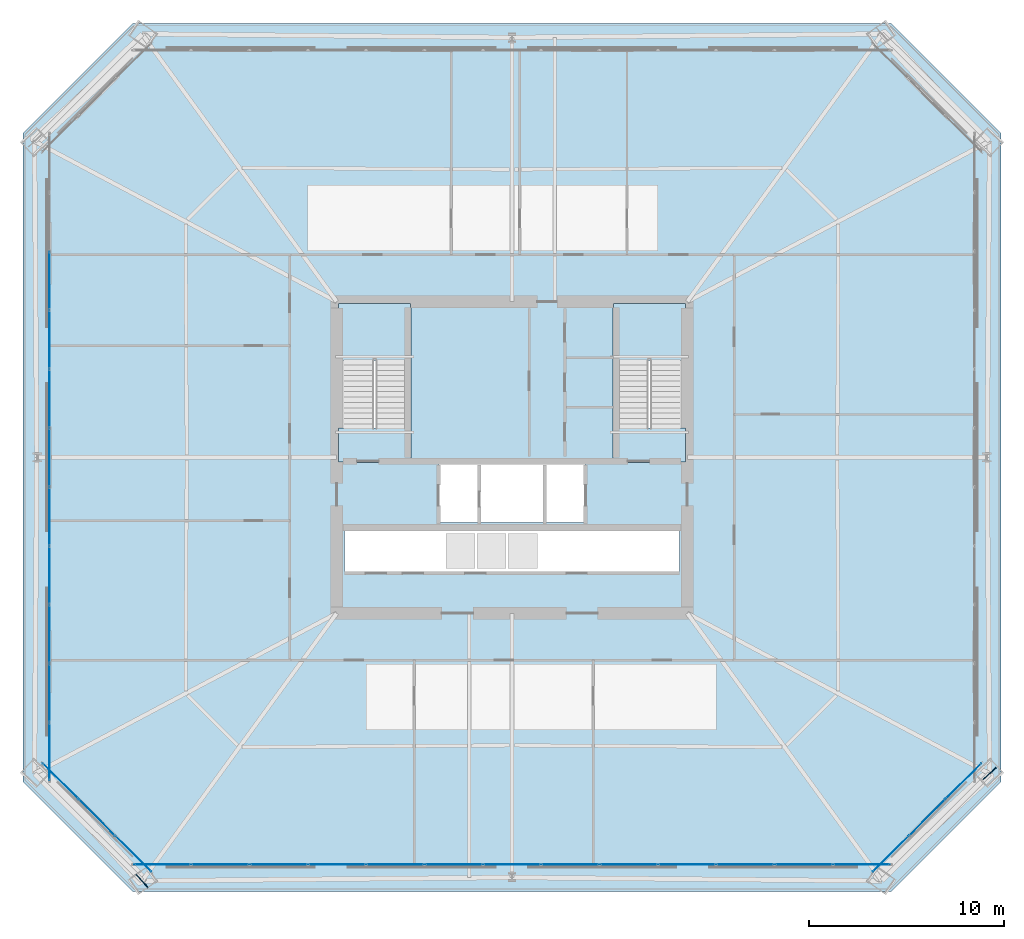
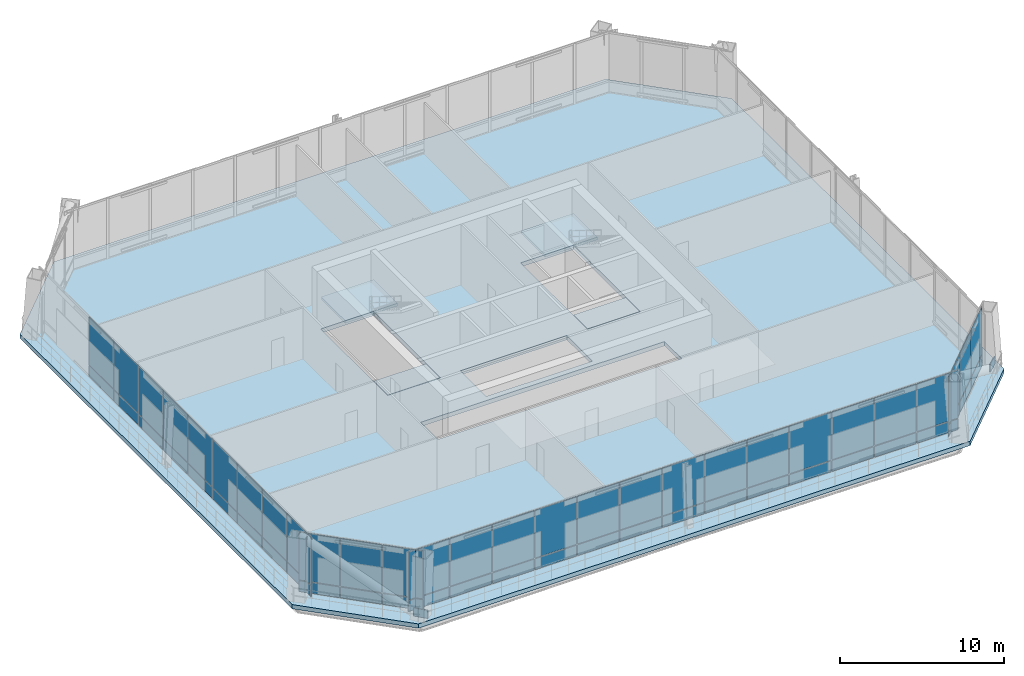
# One storey, part 40 of 48: 58 plates, 5 slabs, 6 elements without a shape of their own.
"""IFC4 building model written with IfcOpenShell, lengths in metres."""

from ifc_helpers import new_model, si_unit, direction, frame, origin, origin_2d, place, context, subcontext, project, spatial, polyline, rectangle, outline, extrude, material, layer, layer_set, type_object, element, aggregate, save


model = new_model("IFC4")

# Units and contexts
model_context = context("Model", 3, precision=1e-05, world=origin(), true_north=direction((0.0, 1.0)))
body_context = subcontext(model_context, "Body", "Model", "MODEL_VIEW")
ifc_project = project(units=[si_unit("LENGTHUNIT", "METRE"), si_unit("AREAUNIT", "SQUARE_METRE"), si_unit("VOLUMEUNIT", "CUBIC_METRE"), si_unit("PLANEANGLEUNIT", "RADIAN"), si_unit("MASSUNIT", "GRAM", prefix="KILO")], contexts=[model_context])

# Site, building, storey
site_placement = place(None, origin())
site = spatial("IfcSite", under=ifc_project, at=site_placement, CompositionType="ELEMENT")
building_placement = place(site_placement, origin())
building = spatial("IfcBuilding", under=site, at=building_placement, Name="Caelvoria Tower", CompositionType="ELEMENT")
storey_placement = place(building_placement, frame((0.0, 0.0, 90.39990234375)))
storey = spatial("IfcBuildingStorey", under=building, at=storey_placement, Name="L23", CompositionType="ELEMENT", Elevation=90.39990234375)

# Curtain wall, plates
ifc_material_1 = material(Name="Anodised Bronze Aluminium and Low-E Glass", Category="aluminium")
ifc_layer_1 = layer(ifc_material_1, 0.2099609375, Name="Anodised Bronze Aluminium and Low-E Glass")
ifc_layer_set_1 = layer_set([ifc_layer_1], Name="CW System 3 Sky Lobby Double-Height Acoustic Facade - Anodised Bronze Aluminium and Low-E Glass")
curtain_wall_type = type_object("IfcCurtainWallType", Name="CW System 3 Sky Lobby Double-Height Acoustic Facade", PredefinedType="NOTDEFINED", material=ifc_layer_set_1)
curtain_wall_1_placement = place(storey_placement, origin())
curtain_wall_1 = element("IfcCurtainWall", 1, at=curtain_wall_1_placement, inside=storey, type_object=curtain_wall_type, Name="CW-03 Curtain Wall L23-E0", PredefinedType="NOTDEFINED")
ifc_material_2 = material(Name="Tinted Low-E Insulated Glazing Unit", Category="glass")
ifc_layer_2 = layer(ifc_material_2, 0.028076171875, Name="Tinted Low-E Insulated Glazing Unit")
ifc_layer_set_2 = layer_set([ifc_layer_2], Name="Double-Glazed Solar-Control Vision Panel 28 - Tinted Low-E Insulated Glazing Unit")
plate_type_1 = type_object("IfcPlateType", Name="Double-Glazed Solar-Control Vision Panel 28", PredefinedType="CURTAIN_PANEL", material=ifc_layer_set_2)
plate_1_placement = place(storey_placement, frame((31.025634765625, 11.0966796875, 0.9326171875), z_axis=(0.0, 0.0, 1.0), x_axis=(1.0, 0.0, 0.0)))
plate_1 = element("IfcPlate", 2, at=plate_1_placement, type_object=plate_type_1, Name="CW-03 panel 2.2", PredefinedType="CURTAIN_PANEL", context=body_context, shape_type="SweptSolid", body=[
    extrude(rectangle(XDim=2.9248046875, YDim=0.028076171875, at=origin_2d()), origin(), (0.0, 0.0, 1.0), 3.5625),
])
plate_2_placement = place(storey_placement, frame((34.0205078125, 11.0966796875, 0.9326171875), z_axis=(0.0, 0.0, 1.0), x_axis=(1.0, 0.0, 0.0)))
plate_2 = element("IfcPlate", 3, at=plate_2_placement, type_object=plate_type_1, Name="CW-03 panel 3.2", PredefinedType="CURTAIN_PANEL", context=body_context, shape_type="SweptSolid", body=[
    extrude(rectangle(XDim=2.9248046875, YDim=0.028076171875, at=origin_2d()), origin(), (0.0, 0.0, 1.0), 3.5625),
])
plate_3_placement = place(storey_placement, frame((37.015380859375, 11.0966796875, 0.9326171875), z_axis=(0.0, 0.0, 1.0), x_axis=(1.0, 0.0, 0.0)))
plate_3 = element("IfcPlate", 4, at=plate_3_placement, type_object=plate_type_1, Name="CW-03 panel 4.2", PredefinedType="CURTAIN_PANEL", context=body_context, shape_type="SweptSolid", body=[
    extrude(rectangle(XDim=2.9248046875, YDim=0.028076171875, at=origin_2d()), origin(), (0.0, 0.0, 1.0), 3.5625),
])
plate_4_placement = place(storey_placement, frame((40.01025390625, 11.0966796875, 0.9326171875), z_axis=(0.0, 0.0, 1.0), x_axis=(1.0, 0.0, 0.0)))
plate_4 = element("IfcPlate", 5, at=plate_4_placement, type_object=plate_type_1, Name="CW-03 panel 5.2", PredefinedType="CURTAIN_PANEL", context=body_context, shape_type="SweptSolid", body=[
    extrude(rectangle(XDim=2.9248046875, YDim=0.028076171875, at=origin_2d()), origin(), (0.0, 0.0, 1.0), 3.5625),
])
plate_5_placement = place(storey_placement, frame((43.005126953125, 11.0966796875, 0.9326171875), z_axis=(0.0, 0.0, 1.0), x_axis=(1.0, 0.0, 0.0)))
plate_5 = element("IfcPlate", 6, at=plate_5_placement, type_object=plate_type_1, Name="CW-03 panel 6.2", PredefinedType="CURTAIN_PANEL", context=body_context, shape_type="SweptSolid", body=[
    extrude(rectangle(XDim=2.9248046875, YDim=0.028076171875, at=origin_2d()), origin(), (0.0, 0.0, 1.0), 3.5625),
])
plate_6_placement = place(storey_placement, frame((46.0, 11.0966796875, 0.9326171875), z_axis=(0.0, 0.0, 1.0), x_axis=(1.0, 0.0, 0.0)))
plate_6 = element("IfcPlate", 7, at=plate_6_placement, type_object=plate_type_1, Name="CW-03 panel 7.2", PredefinedType="CURTAIN_PANEL", context=body_context, shape_type="SweptSolid", body=[
    extrude(rectangle(XDim=2.9248046875, YDim=0.028076171875, at=origin_2d()), origin(), (0.0, 0.0, 1.0), 3.5625),
])
plate_7_placement = place(storey_placement, frame((48.994873046875, 11.0966796875, 0.9326171875), z_axis=(0.0, 0.0, 1.0), x_axis=(1.0, 0.0, 0.0)))
plate_7 = element("IfcPlate", 8, at=plate_7_placement, type_object=plate_type_1, Name="CW-03 panel 8.2", PredefinedType="CURTAIN_PANEL", context=body_context, shape_type="SweptSolid", body=[
    extrude(rectangle(XDim=2.9248046875, YDim=0.028076171875, at=origin_2d()), origin(), (0.0, 0.0, 1.0), 3.5625),
])
plate_8_placement = place(storey_placement, frame((51.98974609375, 11.0966796875, 0.9326171875), z_axis=(0.0, 0.0, 1.0), x_axis=(1.0, 0.0, 0.0)))
plate_8 = element("IfcPlate", 9, at=plate_8_placement, type_object=plate_type_1, Name="CW-03 panel 9.2", PredefinedType="CURTAIN_PANEL", context=body_context, shape_type="SweptSolid", body=[
    extrude(rectangle(XDim=2.9248046875, YDim=0.028076171875, at=origin_2d()), origin(), (0.0, 0.0, 1.0), 3.5625),
])
plate_9_placement = place(storey_placement, frame((54.984619140625, 11.0966796875, 0.9326171875), z_axis=(0.0, 0.0, 1.0), x_axis=(1.0, 0.0, 0.0)))
plate_9 = element("IfcPlate", 10, at=plate_9_placement, type_object=plate_type_1, Name="CW-03 panel 10.2", PredefinedType="CURTAIN_PANEL", context=body_context, shape_type="SweptSolid", body=[
    extrude(rectangle(XDim=2.9248046875, YDim=0.028076171875, at=origin_2d()), origin(), (0.0, 0.0, 1.0), 3.5625),
])
plate_10_placement = place(storey_placement, frame((57.9794921875, 11.0966796875, 0.9326171875), z_axis=(0.0, 0.0, 1.0), x_axis=(1.0, 0.0, 0.0)))
plate_10 = element("IfcPlate", 11, at=plate_10_placement, type_object=plate_type_1, Name="CW-03 panel 11.2", PredefinedType="CURTAIN_PANEL", context=body_context, shape_type="SweptSolid", body=[
    extrude(rectangle(XDim=2.9248046875, YDim=0.028076171875, at=origin_2d()), origin(), (0.0, 0.0, 1.0), 3.5625),
])
plate_11_placement = place(storey_placement, frame((60.974365234375, 11.0966796875, 0.9326171875), z_axis=(0.0, 0.0, 1.0), x_axis=(1.0, 0.0, 0.0)))
plate_11 = element("IfcPlate", 12, at=plate_11_placement, type_object=plate_type_1, Name="CW-03 panel 12.2", PredefinedType="CURTAIN_PANEL", context=body_context, shape_type="SweptSolid", body=[
    extrude(rectangle(XDim=2.9248046875, YDim=0.028076171875, at=origin_2d()), origin(), (0.0, 0.0, 1.0), 3.5625),
])

curtain_wall_2_placement = place(storey_placement, origin())
curtain_wall_2 = element("IfcCurtainWall", 13, at=curtain_wall_2_placement, inside=storey, type_object=curtain_wall_type, Name="CW-03 Curtain Wall L23-E6", PredefinedType="NOTDEFINED")
plate_12_placement = place(storey_placement, frame((22.26318359375, 41.07275390625, 0.9326171875), z_axis=(0.0, 0.0, 1.0), x_axis=(0.0, -1.0, 0.0)))
plate_12 = element("IfcPlate", 14, at=plate_12_placement, type_object=plate_type_1, Name="CW-03 panel 3.2", PredefinedType="CURTAIN_PANEL", context=body_context, shape_type="SweptSolid", body=[
    extrude(rectangle(XDim=2.954345703125, YDim=0.028076171875, at=origin_2d()), origin(), (0.0, 0.0, 1.0), 3.5625),
])
plate_13_placement = place(storey_placement, frame((22.26318359375, 38.048583984375, 0.9326171875), z_axis=(0.0, 0.0, 1.0), x_axis=(0.0, -1.0, 0.0)))
plate_13 = element("IfcPlate", 15, at=plate_13_placement, type_object=plate_type_1, Name="CW-03 panel 4.2", PredefinedType="CURTAIN_PANEL", context=body_context, shape_type="SweptSolid", body=[
    extrude(rectangle(XDim=2.954345703125, YDim=0.028076171875, at=origin_2d()), origin(), (0.0, 0.0, 1.0), 3.5625),
])
plate_14_placement = place(storey_placement, frame((22.26318359375, 35.024169921875, 0.9326171875), z_axis=(0.0, 0.0, 1.0), x_axis=(0.0, -1.0, 0.0)))
plate_14 = element("IfcPlate", 16, at=plate_14_placement, type_object=plate_type_1, Name="CW-03 panel 5.2", PredefinedType="CURTAIN_PANEL", context=body_context, shape_type="SweptSolid", body=[
    extrude(rectangle(XDim=2.954345703125, YDim=0.028076171875, at=origin_2d()), origin(), (0.0, 0.0, 1.0), 3.5625),
])
plate_15_placement = place(storey_placement, frame((22.26318359375, 32.0, 0.9326171875), z_axis=(0.0, 0.0, 1.0), x_axis=(0.0, -1.0, 0.0)))
plate_15 = element("IfcPlate", 17, at=plate_15_placement, type_object=plate_type_1, Name="CW-03 panel 6.2", PredefinedType="CURTAIN_PANEL", context=body_context, shape_type="SweptSolid", body=[
    extrude(rectangle(XDim=2.954345703125, YDim=0.028076171875, at=origin_2d()), origin(), (0.0, 0.0, 1.0), 3.5625),
])
plate_16_placement = place(storey_placement, frame((22.26318359375, 28.975830078125, 0.9326171875), z_axis=(0.0, 0.0, 1.0), x_axis=(0.0, -1.0, 0.0)))
plate_16 = element("IfcPlate", 18, at=plate_16_placement, type_object=plate_type_1, Name="CW-03 panel 7.2", PredefinedType="CURTAIN_PANEL", context=body_context, shape_type="SweptSolid", body=[
    extrude(rectangle(XDim=2.954345703125, YDim=0.028076171875, at=origin_2d()), origin(), (0.0, 0.0, 1.0), 3.5625),
])
plate_17_placement = place(storey_placement, frame((22.26318359375, 25.951416015625, 0.9326171875), z_axis=(0.0, 0.0, 1.0), x_axis=(0.0, -1.0, 0.0)))
plate_17 = element("IfcPlate", 19, at=plate_17_placement, type_object=plate_type_1, Name="CW-03 panel 8.2", PredefinedType="CURTAIN_PANEL", context=body_context, shape_type="SweptSolid", body=[
    extrude(rectangle(XDim=2.954345703125, YDim=0.028076171875, at=origin_2d()), origin(), (0.0, 0.0, 1.0), 3.5625),
])
plate_18_placement = place(storey_placement, frame((22.26318359375, 22.92724609375, 0.9326171875), z_axis=(0.0, 0.0, 1.0), x_axis=(0.0, -1.0, 0.0)))
plate_18 = element("IfcPlate", 20, at=plate_18_placement, type_object=plate_type_1, Name="CW-03 panel 9.2", PredefinedType="CURTAIN_PANEL", context=body_context, shape_type="SweptSolid", body=[
    extrude(rectangle(XDim=2.954345703125, YDim=0.028076171875, at=origin_2d()), origin(), (0.0, 0.0, 1.0), 3.5625),
])
plate_19_placement = place(storey_placement, frame((22.26318359375, 19.903076171875, 0.9326171875), z_axis=(0.0, 0.0, 1.0), x_axis=(0.0, -1.0, 0.0)))
plate_19 = element("IfcPlate", 21, at=plate_19_placement, type_object=plate_type_1, Name="CW-03 panel 10.2", PredefinedType="CURTAIN_PANEL", context=body_context, shape_type="SweptSolid", body=[
    extrude(rectangle(XDim=2.954345703125, YDim=0.028076171875, at=origin_2d()), origin(), (0.0, 0.0, 1.0), 3.5625),
])

# Plate
ifc_material_3 = material(Name="Anodised Bronze Insulated Aluminium Panel", Category="aluminium")
ifc_layer_3 = layer(ifc_material_3, 0.031982421875, Name="Anodised Bronze Insulated Aluminium Panel")
ifc_layer_set_3 = layer_set([ifc_layer_3], Name="Insulated Bronze Spandrel Curtain Panel 32 - Anodised Bronze Insulated Aluminium Panel")
plate_type_2 = type_object("IfcPlateType", Name="Insulated Bronze Spandrel Curtain Panel 32", PredefinedType="CURTAIN_PANEL", material=ifc_layer_set_3)
plate_20_placement = place(storey_placement, frame((28.04833984375, 11.0966796875, 0.06494140625), z_axis=(0.0, 0.0, 1.0), x_axis=(1.0, 0.0, 0.0)))
plate_20 = element("IfcPlate", 22, at=plate_20_placement, type_object=plate_type_2, Name="CW-03 panel 1.1", PredefinedType="CURTAIN_PANEL", context=body_context, shape_type="SweptSolid", body=[
    extrude(rectangle(XDim=2.889892578125, YDim=0.031982421875, at=origin_2d()), origin(), (0.0, 0.0, 1.0), 0.802490234375),
])

plate_21_placement = place(storey_placement, frame((28.04833984375, 11.0966796875, 0.9326171875), z_axis=(0.0, 0.0, 1.0), x_axis=(1.0, 0.0, 0.0)))
plate_21 = element("IfcPlate", 23, at=plate_21_placement, type_object=plate_type_2, Name="CW-03 panel 1.2", PredefinedType="CURTAIN_PANEL", context=body_context, shape_type="SweptSolid", body=[
    extrude(rectangle(XDim=2.889892578125, YDim=0.031982421875, at=origin_2d()), origin(), (0.0, 0.0, 1.0), 3.5625),
])

plate_22_placement = place(storey_placement, frame((31.025634765625, 11.0966796875, 0.06494140625), z_axis=(0.0, 0.0, 1.0), x_axis=(1.0, 0.0, 0.0)))
plate_22 = element("IfcPlate", 24, at=plate_22_placement, type_object=plate_type_2, Name="CW-03 panel 2.1", PredefinedType="CURTAIN_PANEL", context=body_context, shape_type="SweptSolid", body=[
    extrude(rectangle(XDim=2.9248046875, YDim=0.031982421875, at=origin_2d()), origin(), (0.0, 0.0, 1.0), 0.802490234375),
])

plate_23_placement = place(storey_placement, frame((34.0205078125, 11.0966796875, 0.06494140625), z_axis=(0.0, 0.0, 1.0), x_axis=(1.0, 0.0, 0.0)))
plate_23 = element("IfcPlate", 25, at=plate_23_placement, type_object=plate_type_2, Name="CW-03 panel 3.1", PredefinedType="CURTAIN_PANEL", context=body_context, shape_type="SweptSolid", body=[
    extrude(rectangle(XDim=2.9248046875, YDim=0.031982421875, at=origin_2d()), origin(), (0.0, 0.0, 1.0), 0.802490234375),
])

plate_24_placement = place(storey_placement, frame((37.015380859375, 11.0966796875, 0.06494140625), z_axis=(0.0, 0.0, 1.0), x_axis=(1.0, 0.0, 0.0)))
plate_24 = element("IfcPlate", 26, at=plate_24_placement, type_object=plate_type_2, Name="CW-03 panel 4.1", PredefinedType="CURTAIN_PANEL", context=body_context, shape_type="SweptSolid", body=[
    extrude(rectangle(XDim=2.9248046875, YDim=0.031982421875, at=origin_2d()), origin(), (0.0, 0.0, 1.0), 0.802490234375),
])

plate_25_placement = place(storey_placement, frame((40.01025390625, 11.0966796875, 0.06494140625), z_axis=(0.0, 0.0, 1.0), x_axis=(1.0, 0.0, 0.0)))
plate_25 = element("IfcPlate", 27, at=plate_25_placement, type_object=plate_type_2, Name="CW-03 panel 5.1", PredefinedType="CURTAIN_PANEL", context=body_context, shape_type="SweptSolid", body=[
    extrude(rectangle(XDim=2.9248046875, YDim=0.031982421875, at=origin_2d()), origin(), (0.0, 0.0, 1.0), 0.802490234375),
])

plate_26_placement = place(storey_placement, frame((43.005126953125, 11.0966796875, 0.06494140625), z_axis=(0.0, 0.0, 1.0), x_axis=(1.0, 0.0, 0.0)))
plate_26 = element("IfcPlate", 28, at=plate_26_placement, type_object=plate_type_2, Name="CW-03 panel 6.1", PredefinedType="CURTAIN_PANEL", context=body_context, shape_type="SweptSolid", body=[
    extrude(rectangle(XDim=2.9248046875, YDim=0.031982421875, at=origin_2d()), origin(), (0.0, 0.0, 1.0), 0.802490234375),
])

plate_27_placement = place(storey_placement, frame((46.0, 11.0966796875, 0.06494140625), z_axis=(0.0, 0.0, 1.0), x_axis=(1.0, 0.0, 0.0)))
plate_27 = element("IfcPlate", 29, at=plate_27_placement, type_object=plate_type_2, Name="CW-03 panel 7.1", PredefinedType="CURTAIN_PANEL", context=body_context, shape_type="SweptSolid", body=[
    extrude(rectangle(XDim=2.9248046875, YDim=0.031982421875, at=origin_2d()), origin(), (0.0, 0.0, 1.0), 0.802490234375),
])

plate_28_placement = place(storey_placement, frame((48.994873046875, 11.0966796875, 0.06494140625), z_axis=(0.0, 0.0, 1.0), x_axis=(1.0, 0.0, 0.0)))
plate_28 = element("IfcPlate", 30, at=plate_28_placement, type_object=plate_type_2, Name="CW-03 panel 8.1", PredefinedType="CURTAIN_PANEL", context=body_context, shape_type="SweptSolid", body=[
    extrude(rectangle(XDim=2.9248046875, YDim=0.031982421875, at=origin_2d()), origin(), (0.0, 0.0, 1.0), 0.802490234375),
])

plate_29_placement = place(storey_placement, frame((51.98974609375, 11.0966796875, 0.06494140625), z_axis=(0.0, 0.0, 1.0), x_axis=(1.0, 0.0, 0.0)))
plate_29 = element("IfcPlate", 31, at=plate_29_placement, type_object=plate_type_2, Name="CW-03 panel 9.1", PredefinedType="CURTAIN_PANEL", context=body_context, shape_type="SweptSolid", body=[
    extrude(rectangle(XDim=2.9248046875, YDim=0.031982421875, at=origin_2d()), origin(), (0.0, 0.0, 1.0), 0.802490234375),
])

plate_30_placement = place(storey_placement, frame((54.984619140625, 11.0966796875, 0.06494140625), z_axis=(0.0, 0.0, 1.0), x_axis=(1.0, 0.0, 0.0)))
plate_30 = element("IfcPlate", 32, at=plate_30_placement, type_object=plate_type_2, Name="CW-03 panel 10.1", PredefinedType="CURTAIN_PANEL", context=body_context, shape_type="SweptSolid", body=[
    extrude(rectangle(XDim=2.9248046875, YDim=0.031982421875, at=origin_2d()), origin(), (0.0, 0.0, 1.0), 0.802490234375),
])

plate_31_placement = place(storey_placement, frame((57.9794921875, 11.0966796875, 0.06494140625), z_axis=(0.0, 0.0, 1.0), x_axis=(1.0, 0.0, 0.0)))
plate_31 = element("IfcPlate", 33, at=plate_31_placement, type_object=plate_type_2, Name="CW-03 panel 11.1", PredefinedType="CURTAIN_PANEL", context=body_context, shape_type="SweptSolid", body=[
    extrude(rectangle(XDim=2.9248046875, YDim=0.031982421875, at=origin_2d()), origin(), (0.0, 0.0, 1.0), 0.802490234375),
])

plate_32_placement = place(storey_placement, frame((60.974365234375, 11.0966796875, 0.06494140625), z_axis=(0.0, 0.0, 1.0), x_axis=(1.0, 0.0, 0.0)))
plate_32 = element("IfcPlate", 34, at=plate_32_placement, type_object=plate_type_2, Name="CW-03 panel 12.1", PredefinedType="CURTAIN_PANEL", context=body_context, shape_type="SweptSolid", body=[
    extrude(rectangle(XDim=2.9248046875, YDim=0.031982421875, at=origin_2d()), origin(), (0.0, 0.0, 1.0), 0.802490234375),
])

plate_33_placement = place(storey_placement, frame((63.95166015625, 11.0966796875, 0.06494140625), z_axis=(0.0, 0.0, 1.0), x_axis=(1.0, 0.0, 0.0)))
plate_33 = element("IfcPlate", 35, at=plate_33_placement, type_object=plate_type_2, Name="CW-03 panel 13.1", PredefinedType="CURTAIN_PANEL", context=body_context, shape_type="SweptSolid", body=[
    extrude(rectangle(XDim=2.889892578125, YDim=0.031982421875, at=origin_2d()), origin(), (0.0, 0.0, 1.0), 0.802490234375),
])

plate_34_placement = place(storey_placement, frame((63.95166015625, 11.0966796875, 0.9326171875), z_axis=(0.0, 0.0, 1.0), x_axis=(1.0, 0.0, 0.0)))
plate_34 = element("IfcPlate", 36, at=plate_34_placement, type_object=plate_type_2, Name="CW-03 panel 13.2", PredefinedType="CURTAIN_PANEL", context=body_context, shape_type="SweptSolid", body=[
    extrude(rectangle(XDim=2.889892578125, YDim=0.031982421875, at=origin_2d()), origin(), (0.0, 0.0, 1.0), 3.5625),
])

aggregate(curtain_wall_1, [plate_20, plate_21, plate_22, plate_1, plate_23, plate_2, plate_24, plate_3, plate_25, plate_4, plate_26, plate_5, plate_27, plate_6, plate_28, plate_7, plate_29, plate_8, plate_30, plate_9, plate_31, plate_10, plate_32, plate_11, plate_33, plate_34])

# Curtain wall, plates
curtain_wall_3_placement = place(storey_placement, origin())
curtain_wall_3 = element("IfcCurtainWall", 37, at=curtain_wall_3_placement, inside=storey, type_object=curtain_wall_type, Name="CW-03 Curtain Wall L23-E1", PredefinedType="NOTDEFINED")
plate_35_placement = place(storey_placement, frame((65.44482421875, 11.646484375, 0.06494140625), z_axis=(0.0, 0.0, 1.0), x_axis=(0.707106781187, 0.707106781187, 0.0)))
plate_35 = element("IfcPlate", 38, at=plate_35_placement, type_object=plate_type_2, Name="CW-03 panel 1.1", PredefinedType="CURTAIN_PANEL", context=body_context, shape_type="SweptSolid", body=[
    extrude(rectangle(XDim=2.558349609375, YDim=0.031982421875, at=origin_2d()), origin(), (0.0, 0.0, 1.0), 0.802490234375),
])
plate_36_placement = place(storey_placement, frame((65.44482421875, 11.646484375, 0.9326171875), z_axis=(0.0, 0.0, 1.0), x_axis=(0.707106781187, 0.707106781187, 0.0)))
plate_36 = element("IfcPlate", 39, at=plate_36_placement, type_object=plate_type_2, Name="CW-03 panel 1.2", PredefinedType="CURTAIN_PANEL", context=body_context, shape_type="SweptSolid", body=[
    extrude(rectangle(XDim=2.558349609375, YDim=0.031982421875, at=origin_2d()), origin(), (0.0, 0.0, 1.0), 3.5625),
])
plate_37_placement = place(storey_placement, frame((67.31591796875, 13.517578125, 0.06494140625), z_axis=(0.0, 0.0, 1.0), x_axis=(0.707106781187, 0.707106781187, 0.0)))
plate_37 = element("IfcPlate", 40, at=plate_37_placement, type_object=plate_type_2, Name="CW-03 panel 2.1", PredefinedType="CURTAIN_PANEL", context=body_context, shape_type="SweptSolid", body=[
    extrude(rectangle(XDim=2.593505859375, YDim=0.031982421875, at=origin_2d()), origin(), (0.0, 0.0, 1.0), 0.802490234375),
])
plate_38_placement = place(storey_placement, frame((67.31591796875, 13.517578125, 0.9326171875), z_axis=(0.0, 0.0, 1.0), x_axis=(0.707106781187, 0.707106781187, 0.0)))
plate_38 = element("IfcPlate", 41, at=plate_38_placement, type_object=plate_type_2, Name="CW-03 panel 2.2", PredefinedType="CURTAIN_PANEL", context=body_context, shape_type="SweptSolid", body=[
    extrude(rectangle(XDim=2.593505859375, YDim=0.031982421875, at=origin_2d()), origin(), (0.0, 0.0, 1.0), 3.5625),
])
plate_39_placement = place(storey_placement, frame((69.186767578125, 15.388427734375, 0.06494140625), z_axis=(0.0, 0.0, 1.0), x_axis=(0.707106781187, 0.707106781187, 0.0)))
plate_39 = element("IfcPlate", 42, at=plate_39_placement, type_object=plate_type_2, Name="CW-03 panel 3.1", PredefinedType="CURTAIN_PANEL", context=body_context, shape_type="SweptSolid", body=[
    extrude(rectangle(XDim=2.558349609375, YDim=0.031982421875, at=origin_2d()), origin(), (0.0, 0.0, 1.0), 0.802490234375),
])
plate_40_placement = place(storey_placement, frame((69.186767578125, 15.388427734375, 0.9326171875), z_axis=(0.0, 0.0, 1.0), x_axis=(0.707106781187, 0.707106781187, 0.0)))
plate_40 = element("IfcPlate", 43, at=plate_40_placement, type_object=plate_type_2, Name="CW-03 panel 3.2", PredefinedType="CURTAIN_PANEL", context=body_context, shape_type="SweptSolid", body=[
    extrude(rectangle(XDim=2.558349609375, YDim=0.031982421875, at=origin_2d()), origin(), (0.0, 0.0, 1.0), 3.5625),
])
aggregate(curtain_wall_3, [plate_35, plate_36, plate_37, plate_38, plate_39, plate_40])

# Plate
plate_41_placement = place(storey_placement, frame((22.26318359375, 41.07275390625, 0.06494140625), z_axis=(0.0, 0.0, 1.0), x_axis=(0.0, -1.0, 0.0)))
plate_41 = element("IfcPlate", 44, at=plate_41_placement, type_object=plate_type_2, Name="CW-03 panel 3.1", PredefinedType="CURTAIN_PANEL", context=body_context, shape_type="SweptSolid", body=[
    extrude(rectangle(XDim=2.954345703125, YDim=0.031982421875, at=origin_2d()), origin(), (0.0, 0.0, 1.0), 0.802490234375),
])

plate_42_placement = place(storey_placement, frame((22.26318359375, 38.048583984375, 0.06494140625), z_axis=(0.0, 0.0, 1.0), x_axis=(0.0, -1.0, 0.0)))
plate_42 = element("IfcPlate", 45, at=plate_42_placement, type_object=plate_type_2, Name="CW-03 panel 4.1", PredefinedType="CURTAIN_PANEL", context=body_context, shape_type="SweptSolid", body=[
    extrude(rectangle(XDim=2.954345703125, YDim=0.031982421875, at=origin_2d()), origin(), (0.0, 0.0, 1.0), 0.802490234375),
])

plate_43_placement = place(storey_placement, frame((22.26318359375, 35.024169921875, 0.06494140625), z_axis=(0.0, 0.0, 1.0), x_axis=(0.0, -1.0, 0.0)))
plate_43 = element("IfcPlate", 46, at=plate_43_placement, type_object=plate_type_2, Name="CW-03 panel 5.1", PredefinedType="CURTAIN_PANEL", context=body_context, shape_type="SweptSolid", body=[
    extrude(rectangle(XDim=2.954345703125, YDim=0.031982421875, at=origin_2d()), origin(), (0.0, 0.0, 1.0), 0.802490234375),
])

plate_44_placement = place(storey_placement, frame((22.26318359375, 32.0, 0.06494140625), z_axis=(0.0, 0.0, 1.0), x_axis=(0.0, -1.0, 0.0)))
plate_44 = element("IfcPlate", 47, at=plate_44_placement, type_object=plate_type_2, Name="CW-03 panel 6.1", PredefinedType="CURTAIN_PANEL", context=body_context, shape_type="SweptSolid", body=[
    extrude(rectangle(XDim=2.954345703125, YDim=0.031982421875, at=origin_2d()), origin(), (0.0, 0.0, 1.0), 0.802490234375),
])

plate_45_placement = place(storey_placement, frame((22.26318359375, 28.975830078125, 0.06494140625), z_axis=(0.0, 0.0, 1.0), x_axis=(0.0, -1.0, 0.0)))
plate_45 = element("IfcPlate", 48, at=plate_45_placement, type_object=plate_type_2, Name="CW-03 panel 7.1", PredefinedType="CURTAIN_PANEL", context=body_context, shape_type="SweptSolid", body=[
    extrude(rectangle(XDim=2.954345703125, YDim=0.031982421875, at=origin_2d()), origin(), (0.0, 0.0, 1.0), 0.802490234375),
])

plate_46_placement = place(storey_placement, frame((22.26318359375, 25.951416015625, 0.06494140625), z_axis=(0.0, 0.0, 1.0), x_axis=(0.0, -1.0, 0.0)))
plate_46 = element("IfcPlate", 49, at=plate_46_placement, type_object=plate_type_2, Name="CW-03 panel 8.1", PredefinedType="CURTAIN_PANEL", context=body_context, shape_type="SweptSolid", body=[
    extrude(rectangle(XDim=2.954345703125, YDim=0.031982421875, at=origin_2d()), origin(), (0.0, 0.0, 1.0), 0.802490234375),
])

plate_47_placement = place(storey_placement, frame((22.26318359375, 22.92724609375, 0.06494140625), z_axis=(0.0, 0.0, 1.0), x_axis=(0.0, -1.0, 0.0)))
plate_47 = element("IfcPlate", 50, at=plate_47_placement, type_object=plate_type_2, Name="CW-03 panel 9.1", PredefinedType="CURTAIN_PANEL", context=body_context, shape_type="SweptSolid", body=[
    extrude(rectangle(XDim=2.954345703125, YDim=0.031982421875, at=origin_2d()), origin(), (0.0, 0.0, 1.0), 0.802490234375),
])

plate_48_placement = place(storey_placement, frame((22.26318359375, 19.903076171875, 0.06494140625), z_axis=(0.0, 0.0, 1.0), x_axis=(0.0, -1.0, 0.0)))
plate_48 = element("IfcPlate", 51, at=plate_48_placement, type_object=plate_type_2, Name="CW-03 panel 10.1", PredefinedType="CURTAIN_PANEL", context=body_context, shape_type="SweptSolid", body=[
    extrude(rectangle(XDim=2.954345703125, YDim=0.031982421875, at=origin_2d()), origin(), (0.0, 0.0, 1.0), 0.802490234375),
])

plate_49_placement = place(storey_placement, frame((22.26318359375, 16.896240234375, 0.06494140625), z_axis=(0.0, 0.0, 1.0), x_axis=(0.0, -1.0, 0.0)))
plate_49 = element("IfcPlate", 52, at=plate_49_placement, type_object=plate_type_2, Name="CW-03 panel 11.1", PredefinedType="CURTAIN_PANEL", context=body_context, shape_type="SweptSolid", body=[
    extrude(rectangle(XDim=2.919189453125, YDim=0.031982421875, at=origin_2d()), origin(), (0.0, 0.0, 1.0), 0.802490234375),
])

plate_50_placement = place(storey_placement, frame((22.26318359375, 16.896240234375, 0.9326171875), z_axis=(0.0, 0.0, 1.0), x_axis=(0.0, -1.0, 0.0)))
plate_50 = element("IfcPlate", 53, at=plate_50_placement, type_object=plate_type_2, Name="CW-03 panel 11.2", PredefinedType="CURTAIN_PANEL", context=body_context, shape_type="SweptSolid", body=[
    extrude(rectangle(XDim=2.919189453125, YDim=0.031982421875, at=origin_2d()), origin(), (0.0, 0.0, 1.0), 3.5625),
])

aggregate(curtain_wall_2, [plate_41, plate_12, plate_42, plate_13, plate_43, plate_14, plate_44, plate_15, plate_45, plate_16, plate_46, plate_17, plate_47, plate_18, plate_48, plate_19, plate_49, plate_50])

# Curtain wall, plates
curtain_wall_4_placement = place(storey_placement, origin())
curtain_wall_4 = element("IfcCurtainWall", 54, at=curtain_wall_4_placement, inside=storey, type_object=curtain_wall_type, Name="CW-03 Curtain Wall L23-E7", PredefinedType="NOTDEFINED")
plate_51_placement = place(storey_placement, frame((22.813232421875, 15.388427734375, 0.06494140625), z_axis=(0.0, 0.0, 1.0), x_axis=(0.707106781187, -0.707106781187, 0.0)))
plate_51 = element("IfcPlate", 55, at=plate_51_placement, type_object=plate_type_2, Name="CW-03 panel 1.1", PredefinedType="CURTAIN_PANEL", context=body_context, shape_type="SweptSolid", body=[
    extrude(rectangle(XDim=2.558349609375, YDim=0.031982421875, at=origin_2d()), origin(), (0.0, 0.0, 1.0), 0.802490234375),
])
plate_52_placement = place(storey_placement, frame((22.813232421875, 15.388427734375, 0.9326171875), z_axis=(0.0, 0.0, 1.0), x_axis=(0.707106781187, -0.707106781187, 0.0)))
plate_52 = element("IfcPlate", 56, at=plate_52_placement, type_object=plate_type_2, Name="CW-03 panel 1.2", PredefinedType="CURTAIN_PANEL", context=body_context, shape_type="SweptSolid", body=[
    extrude(rectangle(XDim=2.558349609375, YDim=0.031982421875, at=origin_2d()), origin(), (0.0, 0.0, 1.0), 3.5625),
])
plate_53_placement = place(storey_placement, frame((24.68408203125, 13.517578125, 0.06494140625), z_axis=(0.0, 0.0, 1.0), x_axis=(0.707106781187, -0.707106781187, 0.0)))
plate_53 = element("IfcPlate", 57, at=plate_53_placement, type_object=plate_type_2, Name="CW-03 panel 2.1", PredefinedType="CURTAIN_PANEL", context=body_context, shape_type="SweptSolid", body=[
    extrude(rectangle(XDim=2.593505859375, YDim=0.031982421875, at=origin_2d()), origin(), (0.0, 0.0, 1.0), 0.802490234375),
])
plate_54_placement = place(storey_placement, frame((24.68408203125, 13.517578125, 0.9326171875), z_axis=(0.0, 0.0, 1.0), x_axis=(0.707106781187, -0.707106781187, 0.0)))
plate_54 = element("IfcPlate", 58, at=plate_54_placement, type_object=plate_type_2, Name="CW-03 panel 2.2", PredefinedType="CURTAIN_PANEL", context=body_context, shape_type="SweptSolid", body=[
    extrude(rectangle(XDim=2.593505859375, YDim=0.031982421875, at=origin_2d()), origin(), (0.0, 0.0, 1.0), 3.5625),
])
plate_55_placement = place(storey_placement, frame((26.55517578125, 11.646484375, 0.06494140625), z_axis=(0.0, 0.0, 1.0), x_axis=(0.707106781187, -0.707106781187, 0.0)))
plate_55 = element("IfcPlate", 59, at=plate_55_placement, type_object=plate_type_2, Name="CW-03 panel 3.1", PredefinedType="CURTAIN_PANEL", context=body_context, shape_type="SweptSolid", body=[
    extrude(rectangle(XDim=2.558349609375, YDim=0.031982421875, at=origin_2d()), origin(), (0.0, 0.0, 1.0), 0.802490234375),
])
plate_56_placement = place(storey_placement, frame((26.55517578125, 11.646484375, 0.9326171875), z_axis=(0.0, 0.0, 1.0), x_axis=(0.707106781187, -0.707106781187, 0.0)))
plate_56 = element("IfcPlate", 60, at=plate_56_placement, type_object=plate_type_2, Name="CW-03 panel 3.2", PredefinedType="CURTAIN_PANEL", context=body_context, shape_type="SweptSolid", body=[
    extrude(rectangle(XDim=2.558349609375, YDim=0.031982421875, at=origin_2d()), origin(), (0.0, 0.0, 1.0), 3.5625),
])
aggregate(curtain_wall_4, [plate_51, plate_52, plate_53, plate_54, plate_55, plate_56])

# Plates
ifc_material_4 = material(Name="Structural Steel ASTM A572 Gr.50", Category="steel")
ifc_layer_4 = layer(ifc_material_4, 0.0400390625, Name="Structural Steel ASTM A572 Gr.50")
ifc_layer_set_4 = layer_set([ifc_layer_4], Name="Megaframe Node Gusset Plate 900x600x40 - Structural Steel ASTM A572 Gr.50")
plate_type_3 = type_object("IfcPlateType", Name="Megaframe Node Gusset Plate 900x600x40", PredefinedType="USERDEFINED", material=ifc_layer_set_4)
for number, where, z_axis, x_axis, name in (
    (61, (70.516357421875, 15.76416015625, 0.02001953125), (0.0, 0.0, 1.0), (-0.736236473337, -0.676724356979, 0.0), "Chamfer Mega Brace Gusset L23 SE"),
    (62, (27.007080078125, 10.2587890625, 0.02001953125), (0.0, 0.0, 1.0), (-0.678964777816, 0.73417084557, 0.0), "Chamfer Mega Brace Gusset L23 SW"),
):
    element("IfcPlate", number, at=place(storey_placement, frame(where, z_axis=z_axis, x_axis=x_axis)), inside=storey, type_object=plate_type_3, Name=name, ObjectType="GUSSET_PLATE", PredefinedType="USERDEFINED", context=body_context, shape_type="SweptSolid", body=[
        extrude(rectangle(XDim=0.89990234375, YDim=0.0400390625, at=origin_2d()), origin(), (0.0, 0.0, 1.0), 0.60009765625),
    ])

# Slab
ifc_material_5 = material(Name="Concrete C50/60", Category="concrete")
ifc_layer_5 = layer(ifc_material_5, 0.320068359375, Name="Concrete C50/60")
ifc_layer_set_5 = layer_set([ifc_layer_5], Name="Plant and Sky Lobby Heavy Slab 320 - Concrete C50/60")
slab_type_1 = type_object("IfcSlabType", Name="Plant and Sky Lobby Heavy Slab 320", PredefinedType="FLOOR", material=ifc_layer_set_5)
slab_1_placement = place(storey_placement, frame((0.0, 0.0, -0.31982421875)))
element("IfcSlab", 63, at=slab_1_placement, inside=storey, type_object=slab_type_1, Name="Level L23 Structural Floor Slab", PredefinedType="FLOOR", context=body_context, shape_type="SweptSolid", body=[
    extrude(outline(polyline([(26.533203125, 9.716796875), (65.466796875, 9.716796875), (71.11669921875, 15.36669921875), (71.11669921875, 48.63330078125), (65.466796875, 54.283203125), (26.533203125, 54.283203125), (20.88330078125, 48.63330078125), (20.88330078125, 15.36669921875), (26.533203125, 9.716796875)]), holes=[polyline([(37.080078125, 31.75), (40.820068359375, 31.75), (40.820068359375, 39.919921875), (37.080078125, 39.919921875), (37.080078125, 31.75)]), polyline([(51.179931640625, 31.75), (54.919921875, 31.75), (54.919921875, 39.919921875), (51.179931640625, 39.919921875), (51.179931640625, 31.75)]), polyline([(42.25, 28.64990234375), (49.75, 28.64990234375), (49.75, 31.800048828125), (42.25, 31.800048828125), (42.25, 28.64990234375)]), polyline([(37.39990234375, 26.14990234375), (54.60009765625, 26.14990234375), (54.60009765625, 28.25), (37.39990234375, 28.25), (37.39990234375, 26.14990234375)])]), origin(), (0.0, 0.0, 1.0), 0.31982421875),
])

# Stair, slabs
ifc_material_6 = material(Name="Concrete C40/50", Category="concrete")
stair_type = type_object("IfcStairType", Name="Core Smokeproof Dogleg Stair Concrete C40/50", PredefinedType="HALF_TURN_STAIR", material=ifc_material_6)
stair_1_placement = place(storey_placement, origin())
stair_1 = element("IfcStair", 64, at=stair_1_placement, inside=storey, type_object=stair_type, Name="ST-01 Smokeproof Exit Stair L23", PredefinedType="HALF_TURN_STAIR")
ifc_layer_6 = layer(ifc_material_6, 0.199951171875, Name="Concrete C40/50")
ifc_layer_set_6 = layer_set([ifc_layer_6], Name="Stair Half and Floor Landing Slab 200 Concrete C40/50 - Concrete C40/50")
slab_type_2 = type_object("IfcSlabType", Name="Stair Half and Floor Landing Slab 200 Concrete C40/50", PredefinedType="LANDING", material=ifc_layer_set_6)
slab_2_placement = place(storey_placement, frame((0.0, 0.0, -0.199951171875)))
slab_2 = element("IfcSlab", 65, at=slab_2_placement, type_object=slab_type_2, Name="ST-01 landing 1", PredefinedType="LANDING", context=body_context, shape_type="SweptSolid", body=[
    extrude(outline(polyline([(37.10009765625, 31.77001953125), (40.800048828125, 31.77001953125), (40.800048828125, 33.5), (37.10009765625, 33.5), (37.10009765625, 31.77001953125)])), origin(), (0.0, 0.0, 1.0), 0.199951171875),
])
slab_3_placement = place(storey_placement, frame((0.0, 0.0, 2.2001953125)))
slab_3 = element("IfcSlab", 66, at=slab_3_placement, type_object=slab_type_2, Name="ST-01 landing 2", PredefinedType="LANDING", context=body_context, shape_type="SweptSolid", body=[
    extrude(outline(polyline([(37.10009765625, 36.97509765625), (40.800048828125, 36.97509765625), (40.800048828125, 39.89990234375), (37.10009765625, 39.89990234375), (37.10009765625, 36.97509765625)])), origin(), (0.0, 0.0, 1.0), 0.199951171875),
])
aggregate(stair_1, [slab_2, slab_3])

stair_2_placement = place(storey_placement, origin())
stair_2 = element("IfcStair", 67, at=stair_2_placement, inside=storey, type_object=stair_type, Name="ST-02 Smokeproof Exit Stair L23", PredefinedType="HALF_TURN_STAIR")
slab_4_placement = place(storey_placement, frame((0.0, 0.0, -0.199951171875)))
slab_4 = element("IfcSlab", 68, at=slab_4_placement, type_object=slab_type_2, Name="ST-02 landing 1", PredefinedType="LANDING", context=body_context, shape_type="SweptSolid", body=[
    extrude(outline(polyline([(51.199951171875, 31.77001953125), (54.89990234375, 31.77001953125), (54.89990234375, 33.5), (51.199951171875, 33.5), (51.199951171875, 31.77001953125)])), origin(), (0.0, 0.0, 1.0), 0.199951171875),
])
slab_5_placement = place(storey_placement, frame((0.0, 0.0, 2.2001953125)))
slab_5 = element("IfcSlab", 69, at=slab_5_placement, type_object=slab_type_2, Name="ST-02 landing 2", PredefinedType="LANDING", context=body_context, shape_type="SweptSolid", body=[
    extrude(outline(polyline([(51.199951171875, 36.97509765625), (54.89990234375, 36.97509765625), (54.89990234375, 39.89990234375), (51.199951171875, 39.89990234375), (51.199951171875, 36.97509765625)])), origin(), (0.0, 0.0, 1.0), 0.199951171875),
])
aggregate(stair_2, [slab_4, slab_5])

save(model, "model.ifc")
